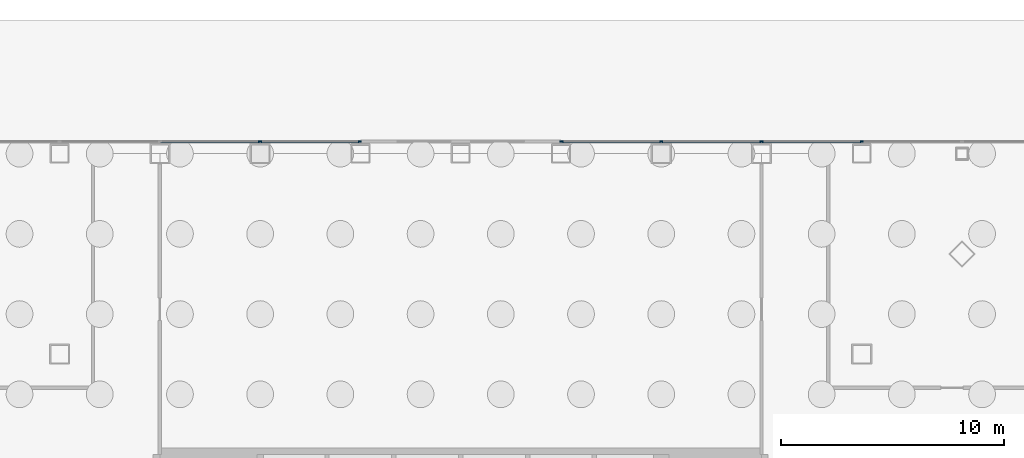
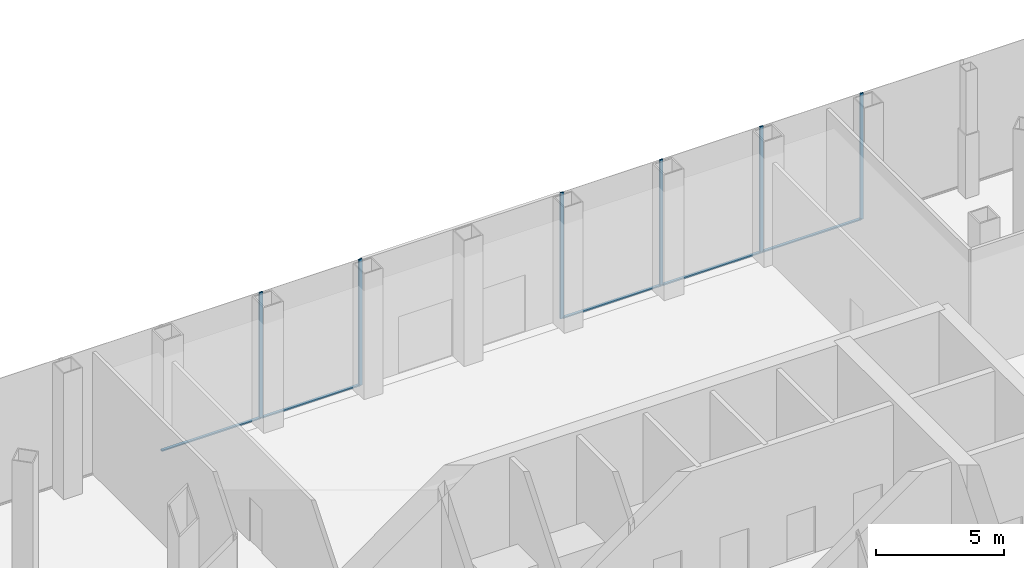
# One storey, part 12 of 24: 11 members, 2 elements without a shape of their own.
"""IFC4 building model written with IfcOpenShell, lengths in metres."""

from ifc_helpers import new_model, si_unit, direction, frame, origin, origin_2d, place, context, subcontext, project, spatial, rectangle, extrude, material, material_profile, profile_set, type_object, element, aggregate, save


model = new_model("IFC4")

# Units and contexts
model_context = context("Model", 3, precision=1e-05, world=origin(), true_north=direction((0.0, 1.0)))
body_context = subcontext(model_context, "Body", "Model", "MODEL_VIEW")
ifc_project = project(units=[si_unit("LENGTHUNIT", "METRE"), si_unit("AREAUNIT", "SQUARE_METRE"), si_unit("VOLUMEUNIT", "CUBIC_METRE"), si_unit("PLANEANGLEUNIT", "RADIAN"), si_unit("MASSUNIT", "GRAM", prefix="KILO")], contexts=[model_context])

# Site, building, storey
site_placement = place(None, origin())
site = spatial("IfcSite", under=ifc_project, at=site_placement, CompositionType="ELEMENT")
building_placement = place(site_placement, origin())
building = spatial("IfcBuilding", under=site, at=building_placement, Name="Corais Broadcast Tower", CompositionType="ELEMENT")
storey_placement = place(building_placement, origin())
storey = spatial("IfcBuildingStorey", under=building, at=storey_placement, Name="L00", CompositionType="ELEMENT", Elevation=0.0)

# Curtain wall, members
ifc_material_1 = material(Name="Aluminium and glass", Category="aluminium")
curtain_wall_type = type_object("IfcCurtainWallType", Name="Storefront curtain wall CW5", PredefinedType="NOTDEFINED", material=ifc_material_1)
curtain_wall_1_placement = place(storey_placement, origin())
curtain_wall_1 = element("IfcCurtainWall", 1, at=curtain_wall_1_placement, inside=storey, type_object=curtain_wall_type, Name="CW5 curtain wall L00 4", PredefinedType="NOTDEFINED")
ifc_material_2 = material(Name="Aluminium 6063-T6", Category="aluminium")
ifc_material_profile_1 = material_profile(ifc_material_2, rectangle(XDim=0.06005859375, YDim=0.14990234375, at=origin_2d()), Name="Mullion CW5 60x150")
ifc_profile_set_1 = profile_set([ifc_material_profile_1], Name="Aluminium 6063-T6")
member_type_1 = type_object("IfcMemberType", Name="Mullion CW5 60x150", PredefinedType="MULLION", material=ifc_profile_set_1)
member_1_placement = place(storey_placement, frame((18.0, 54.550048828125, 0.0), z_axis=(0.0, 0.0, 1.0), x_axis=(0.0, 1.0, 0.0)))
member_1 = element("IfcMember", 2, at=member_1_placement, type_object=member_type_1, Name="CW5 mullion 5", PredefinedType="MULLION", context=body_context, shape_type="SweptSolid", body=[
    extrude(rectangle(XDim=0.06005859375, YDim=0.14990234375, at=origin_2d()), origin(), (0.0, 0.0, 1.0), 6.0),
])
member_2_placement = place(storey_placement, frame((22.469970703125, 54.550048828125, 0.0), z_axis=(0.0, 0.0, 1.0), x_axis=(0.0, 1.0, 0.0)))
member_2 = element("IfcMember", 3, at=member_2_placement, type_object=member_type_1, Name="CW5 mullion 6", PredefinedType="MULLION", context=body_context, shape_type="SweptSolid", body=[
    extrude(rectangle(XDim=0.06005859375, YDim=0.14990234375, at=origin_2d()), origin(), (0.0, 0.0, 1.0), 6.0),
])

curtain_wall_2_placement = place(storey_placement, origin())
curtain_wall_2 = element("IfcCurtainWall", 4, at=curtain_wall_2_placement, inside=storey, type_object=curtain_wall_type, Name="CW5 curtain wall L00 4", PredefinedType="NOTDEFINED")
member_3_placement = place(storey_placement, frame((31.530029296875, 54.550048828125, 0.0), z_axis=(0.0, 0.0, 1.0), x_axis=(0.0, 1.0, 0.0)))
member_3 = element("IfcMember", 5, at=member_3_placement, type_object=member_type_1, Name="CW5 mullion 1", PredefinedType="MULLION", context=body_context, shape_type="SweptSolid", body=[
    extrude(rectangle(XDim=0.06005859375, YDim=0.14990234375, at=origin_2d()), origin(), (0.0, 0.0, 1.0), 6.0),
])
member_4_placement = place(storey_placement, frame((36.0, 54.550048828125, 0.0), z_axis=(0.0, 0.0, 1.0), x_axis=(0.0, 1.0, 0.0)))
member_4 = element("IfcMember", 6, at=member_4_placement, type_object=member_type_1, Name="CW5 mullion 2", PredefinedType="MULLION", context=body_context, shape_type="SweptSolid", body=[
    extrude(rectangle(XDim=0.06005859375, YDim=0.14990234375, at=origin_2d()), origin(), (0.0, 0.0, 1.0), 6.0),
])
member_5_placement = place(storey_placement, frame((40.5, 54.550048828125, 0.0), z_axis=(0.0, 0.0, 1.0), x_axis=(0.0, 1.0, 0.0)))
member_5 = element("IfcMember", 7, at=member_5_placement, type_object=member_type_1, Name="CW5 mullion 3", PredefinedType="MULLION", context=body_context, shape_type="SweptSolid", body=[
    extrude(rectangle(XDim=0.06005859375, YDim=0.14990234375, at=origin_2d()), origin(), (0.0, 0.0, 1.0), 6.0),
])
member_6_placement = place(storey_placement, frame((45.0, 54.550048828125, 0.0), z_axis=(0.0, 0.0, 1.0), x_axis=(0.0, 1.0, 0.0)))
member_6 = element("IfcMember", 8, at=member_6_placement, type_object=member_type_1, Name="CW5 mullion 4", PredefinedType="MULLION", context=body_context, shape_type="SweptSolid", body=[
    extrude(rectangle(XDim=0.06005859375, YDim=0.14990234375, at=origin_2d()), origin(), (0.0, 0.0, 1.0), 6.0),
])

# Member
ifc_material_3 = material(Name="Aluminium 6063-T6", Category="aluminium")
ifc_material_profile_2 = material_profile(ifc_material_3, rectangle(XDim=0.1201171875, YDim=0.06005859375, at=origin_2d()), Name="Transom CW5 60x120")
ifc_profile_set_2 = profile_set([ifc_material_profile_2], Name="Aluminium 6063-T6")
member_type_2 = type_object("IfcMemberType", Name="Transom CW5 60x120", PredefinedType="USERDEFINED", material=ifc_profile_set_2)
member_7_placement = place(storey_placement, frame((13.530029296875, 54.550048828125, 0.030029296875), z_axis=(1.0, 0.0, 0.0), x_axis=(0.0, 1.0, 0.0)))
member_7 = element("IfcMember", 9, at=member_7_placement, type_object=member_type_2, Name="CW5 transom 4.1", ObjectType="TRANSOM", PredefinedType="USERDEFINED", context=body_context, shape_type="SweptSolid", body=[
    extrude(rectangle(XDim=0.1201171875, YDim=0.06005859375, at=origin_2d()), origin(), (0.0, 0.0, 1.0), 4.43994140625),
])

member_8_placement = place(storey_placement, frame((18.030029296875, 54.550048828125, 0.030029296875), z_axis=(1.0, 0.0, 0.0), x_axis=(0.0, 1.0, 0.0)))
member_8 = element("IfcMember", 10, at=member_8_placement, type_object=member_type_2, Name="CW5 transom 5.1", ObjectType="TRANSOM", PredefinedType="USERDEFINED", context=body_context, shape_type="SweptSolid", body=[
    extrude(rectangle(XDim=0.1201171875, YDim=0.06005859375, at=origin_2d()), origin(), (0.0, 0.0, 1.0), 4.409912109375),
])

aggregate(curtain_wall_1, [member_1, member_2, member_7, member_8])

member_9_placement = place(storey_placement, frame((31.56005859375, 54.550048828125, 0.030029296875), z_axis=(1.0, 0.0, 0.0), x_axis=(0.0, 1.0, 0.0)))
member_9 = element("IfcMember", 11, at=member_9_placement, type_object=member_type_2, Name="CW5 transom 1.1", ObjectType="TRANSOM", PredefinedType="USERDEFINED", context=body_context, shape_type="SweptSolid", body=[
    extrude(rectangle(XDim=0.1201171875, YDim=0.06005859375, at=origin_2d()), origin(), (0.0, 0.0, 1.0), 4.409912109375),
])

member_10_placement = place(storey_placement, frame((36.030029296875, 54.550048828125, 0.030029296875), z_axis=(1.0, 0.0, 0.0), x_axis=(0.0, 1.0, 0.0)))
member_10 = element("IfcMember", 12, at=member_10_placement, type_object=member_type_2, Name="CW5 transom 2.1", ObjectType="TRANSOM", PredefinedType="USERDEFINED", context=body_context, shape_type="SweptSolid", body=[
    extrude(rectangle(XDim=0.1201171875, YDim=0.06005859375, at=origin_2d()), origin(), (0.0, 0.0, 1.0), 4.43994140625),
])

member_11_placement = place(storey_placement, frame((40.530029296875, 54.550048828125, 0.030029296875), z_axis=(1.0, 0.0, 0.0), x_axis=(0.0, 1.0, 0.0)))
member_11 = element("IfcMember", 13, at=member_11_placement, type_object=member_type_2, Name="CW5 transom 3.1", ObjectType="TRANSOM", PredefinedType="USERDEFINED", context=body_context, shape_type="SweptSolid", body=[
    extrude(rectangle(XDim=0.1201171875, YDim=0.06005859375, at=origin_2d()), origin(), (0.0, 0.0, 1.0), 4.43994140625),
])

aggregate(curtain_wall_2, [member_3, member_4, member_5, member_6, member_9, member_10, member_11])

save(model, "model.ifc")
